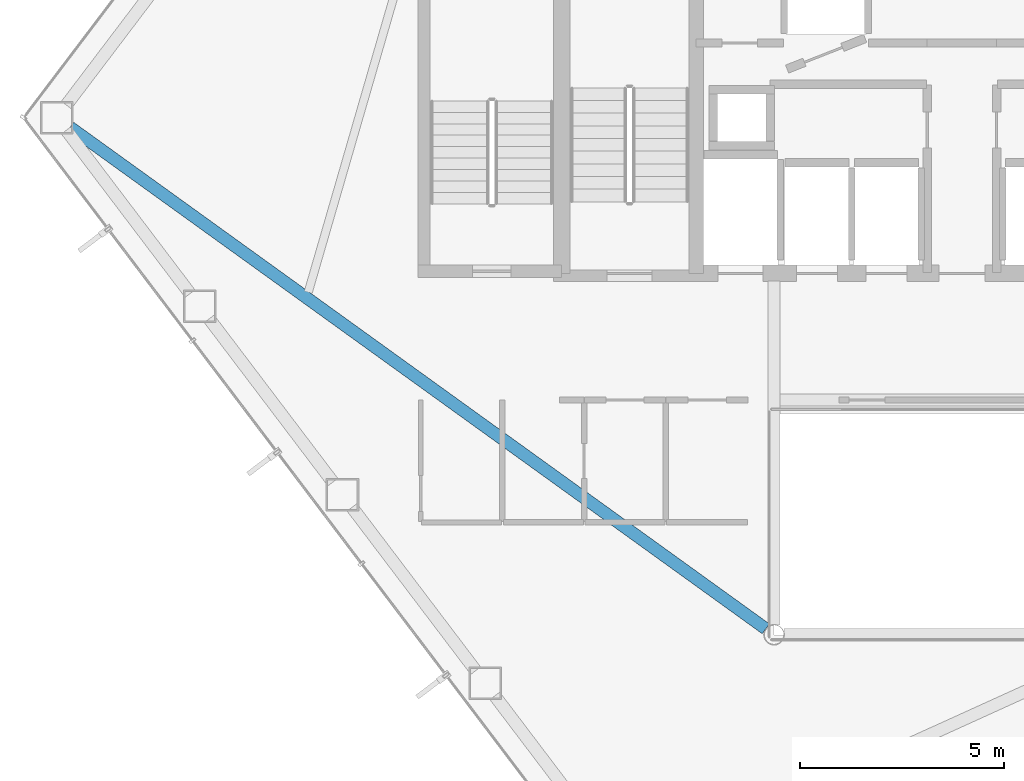
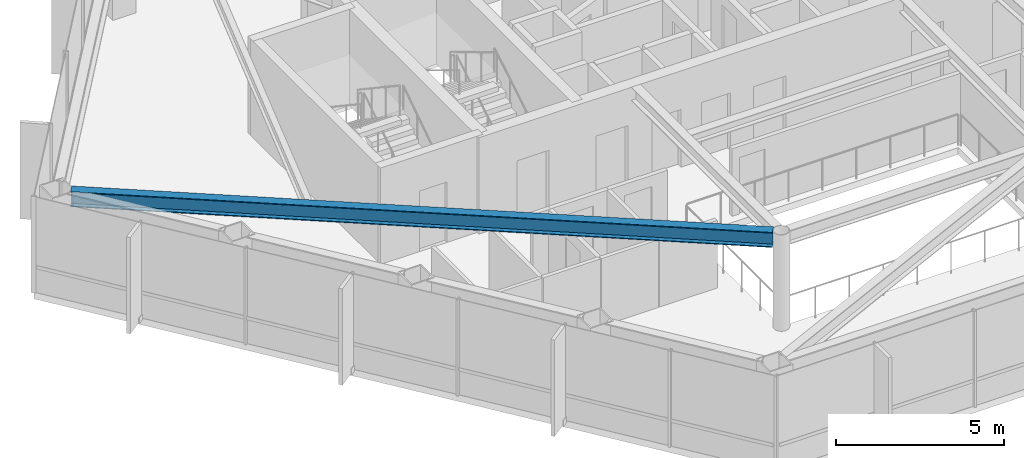
# One storey, part 5 of 29: 1 beam.
"""IFC4 building model written with IfcOpenShell, lengths in metres."""

from ifc_helpers import new_model, si_unit, direction, frame, origin, origin_2d, place, context, subcontext, project, spatial, i_section, extrude, material, material_profile, profile_set, type_object, element, save


model = new_model("IFC4")

# Units and contexts
model_context = context("Model", 3, precision=1e-05, world=origin(), true_north=direction((0.0, 1.0)))
body_context = subcontext(model_context, "Body", "Model", "MODEL_VIEW")
ifc_project = project(units=[si_unit("LENGTHUNIT", "METRE"), si_unit("AREAUNIT", "SQUARE_METRE"), si_unit("VOLUMEUNIT", "CUBIC_METRE"), si_unit("PLANEANGLEUNIT", "RADIAN"), si_unit("MASSUNIT", "GRAM", prefix="KILO")], contexts=[model_context])

# Site, building, storey
site_placement = place(None, origin())
site = spatial("IfcSite", under=ifc_project, at=site_placement, CompositionType="ELEMENT")
building_placement = place(site_placement, origin())
building = spatial("IfcBuilding", under=site, at=building_placement, Name="Zarrinselat Tower", CompositionType="ELEMENT")
storey_placement = place(building_placement, frame((0.0, 0.0, 138.3798828125)))
storey = spatial("IfcBuildingStorey", under=building, at=storey_placement, Name="L33", CompositionType="ELEMENT", Elevation=138.3798828125)

# Beam
ifc_material = material(Name="Steel S355J2", Category="steel")
ifc_material_profile = material_profile(ifc_material, i_section(OverallWidth=0.300048828125, OverallDepth=0.550048828125, WebThickness=0.014892578125, FlangeThickness=0.029052734375, at=origin_2d()), Name="HEB 550")
ifc_profile_set = profile_set([ifc_material_profile], Name="Steel S355J2")
beam_type = type_object("IfcBeamType", Name="BM-HEB550", PredefinedType="BEAM", material=ifc_profile_set)
beam_placement = place(storey_placement, frame((16.564208984375, 36.8251953125, 3.22509765625), z_axis=(0.811188179472, -0.58478520628, 0.0), x_axis=(0.58478520628, 0.811188179472, 0.0)))
element("IfcBeam", 1, at=beam_placement, inside=storey, type_object=beam_type, Name="L33 Radial Primary Girder RG06", PredefinedType="BEAM", context=body_context, shape_type="SweptSolid", body=[
    extrude(i_section(OverallWidth=0.300048828125, OverallDepth=0.550048828125, WebThickness=0.014892578125, FlangeThickness=0.029052734375, at=origin_2d()), origin(), (0.0, 0.0, 1.0), 20.99755859375),
])

save(model, "model.ifc")
